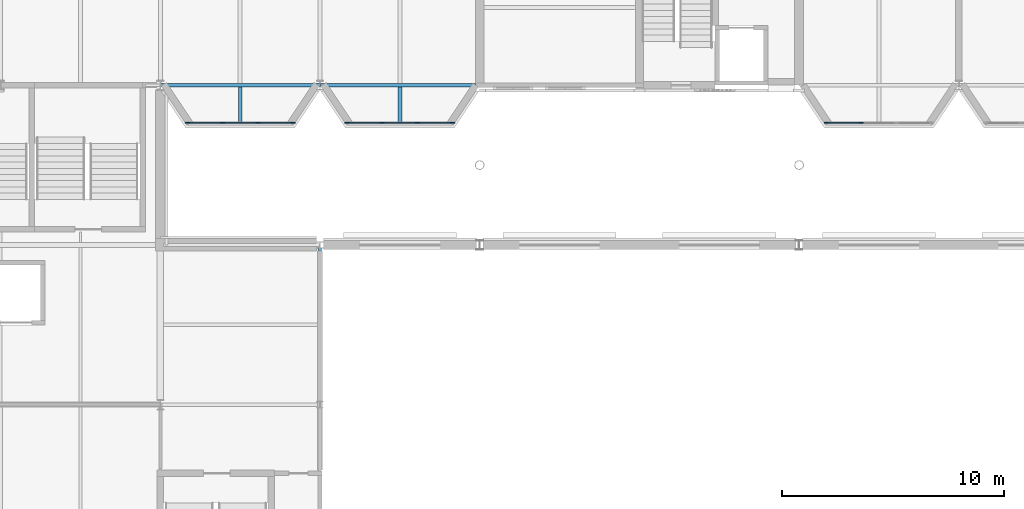
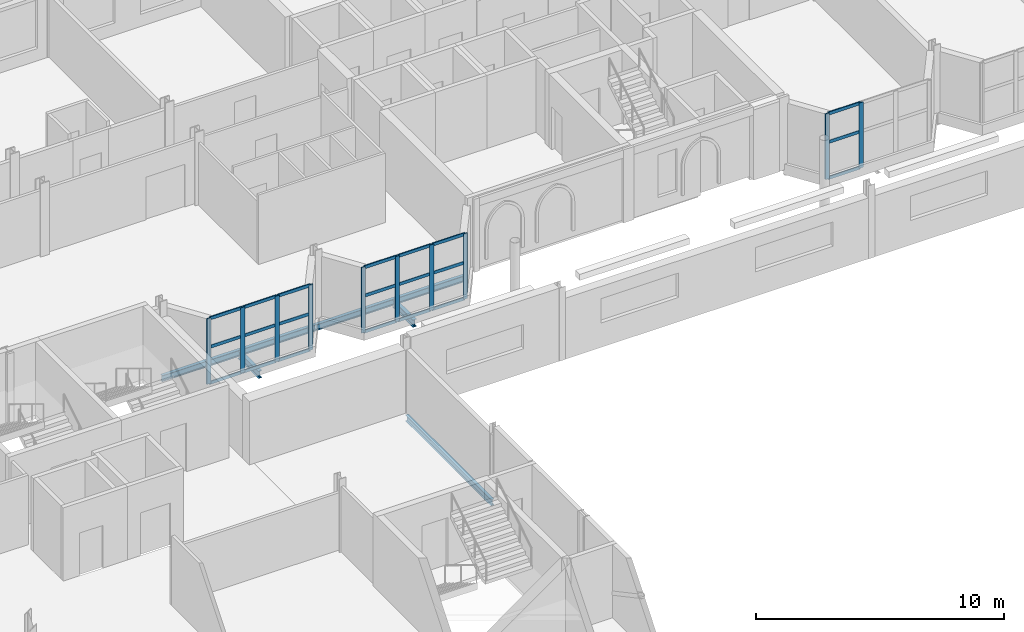
# One storey, part 46 of 124: 31 members, 5 beams, 3 elements without a shape of their own.
"""IFC4 building model written with IfcOpenShell, lengths in metres."""

from ifc_helpers import new_model, si_unit, direction, frame, origin, origin_2d, place, context, subcontext, project, spatial, rectangle, i_section, extrude, material, material_profile, profile_set, type_object, element, aggregate, save


model = new_model("IFC4")

# Units and contexts
model_context = context("Model", 3, precision=1e-05, world=origin(), true_north=direction((0.0, 1.0)))
body_context = subcontext(model_context, "Body", "Model", "MODEL_VIEW")
ifc_project = project(units=[si_unit("LENGTHUNIT", "METRE"), si_unit("AREAUNIT", "SQUARE_METRE"), si_unit("VOLUMEUNIT", "CUBIC_METRE"), si_unit("PLANEANGLEUNIT", "RADIAN"), si_unit("MASSUNIT", "GRAM", prefix="KILO")], contexts=[model_context])

# Site, building, storey
site_placement = place(None, origin())
site = spatial("IfcSite", under=ifc_project, at=site_placement, CompositionType="ELEMENT")
building_placement = place(site_placement, origin())
building = spatial("IfcBuilding", under=site, at=building_placement, Name="Kupolbacken Congress Centre", CompositionType="ELEMENT")
storey_placement = place(building_placement, frame((0.0, 0.0, 10.800048828125)))
storey = spatial("IfcBuildingStorey", under=building, at=storey_placement, Name="L03", CompositionType="ELEMENT", Elevation=10.800048828125)

# Beams
ifc_material_1 = material(Name="Steel S355", Category="steel")
ifc_material_profile_1 = material_profile(ifc_material_1, i_section(OverallWidth=0.14990234375, OverallDepth=0.300048828125, WebThickness=0.007080078125, FlangeThickness=0.0107421875, FilletRadius=0.014892578125, at=origin_2d()), Name="IPE 300")
ifc_profile_set_1 = profile_set([ifc_material_profile_1], Name="Steel S355")
beam_type_1 = type_object("IfcBeamType", Name="B04 beam IPE 300", PredefinedType="BEAM", material=ifc_profile_set_1)
beam_1_placement = place(storey_placement, frame((86.39990234375, 108.14501953125, -0.330078125), z_axis=(0.0, 1.0, 0.0), x_axis=(-1.0, 0.0, 0.0)))
element("IfcBeam", 1, at=beam_1_placement, inside=storey, type_object=beam_type_1, Name="S/floor/LINK/L03/E009", PredefinedType="BEAM", context=body_context, shape_type="SweptSolid", body=[
    extrude(i_section(OverallWidth=0.14990234375, OverallDepth=0.300048828125, WebThickness=0.007080078125, FlangeThickness=0.0107421875, FilletRadius=0.014892578125, at=origin_2d()), origin(), (0.0, 0.0, 1.0), 6.909912109375),
])
beam_2_placement = place(storey_placement, frame((79.21044921875, 122.39990234375, -0.330078125), z_axis=(1.0, 0.0, 0.0), x_axis=(0.0, 1.0, 0.0)))
element("IfcBeam", 2, at=beam_2_placement, inside=storey, type_object=beam_type_1, Name="S/floor/T/L03/R001", PredefinedType="BEAM", context=body_context, shape_type="SweptSolid", body=[
    extrude(i_section(OverallWidth=0.14990234375, OverallDepth=0.300048828125, WebThickness=0.007080078125, FlangeThickness=0.0107421875, FilletRadius=0.014892578125, at=origin_2d()), origin(), (0.0, 0.0, 1.0), 7.178955078125),
])
beam_3_placement = place(storey_placement, frame((86.410400390625, 122.39990234375, -0.330078125), z_axis=(1.0, 0.0, 0.0), x_axis=(0.0, 1.0, 0.0)))
element("IfcBeam", 3, at=beam_3_placement, inside=storey, type_object=beam_type_1, Name="S/floor/T/L03/R002", PredefinedType="BEAM", context=body_context, shape_type="SweptSolid", body=[
    extrude(i_section(OverallWidth=0.14990234375, OverallDepth=0.300048828125, WebThickness=0.007080078125, FlangeThickness=0.0107421875, FilletRadius=0.014892578125, at=origin_2d()), origin(), (0.0, 0.0, 1.0), 6.989501953125),
])
ifc_material_2 = material(Name="Steel S355", Category="steel")
ifc_material_profile_2 = material_profile(ifc_material_2, i_section(OverallWidth=0.169921875, OverallDepth=0.360107421875, WebThickness=0.008056640625, FlangeThickness=0.0126953125, FilletRadius=0.01806640625, at=origin_2d()), Name="IPE 360")
ifc_profile_set_2 = profile_set([ifc_material_profile_2], Name="Steel S355")
beam_type_2 = type_object("IfcBeamType", Name="B06 beam IPE 360", PredefinedType="BEAM", material=ifc_profile_set_2)
for number, where, z_axis, x_axis, name in (
    (4, (82.800048828125, 122.324951171875, -0.360107421875), (0.0, -1.0, 0.0), (1.0, 0.0, 0.0), "S/floor/T/L03/C080"),
    (5, (90.0, 122.324951171875, -0.360107421875), (0.0, -1.0, 0.0), (1.0, 0.0, 0.0), "S/floor/T/L03/C082"),
):
    element("IfcBeam", number, at=place(storey_placement, frame(where, z_axis=z_axis, x_axis=x_axis)), inside=storey, type_object=beam_type_2, Name=name, PredefinedType="BEAM", context=body_context, shape_type="SweptSolid", body=[
        extrude(i_section(OverallWidth=0.169921875, OverallDepth=0.360107421875, WebThickness=0.008056640625, FlangeThickness=0.0126953125, FilletRadius=0.01806640625, at=origin_2d()), origin(), (0.0, 0.0, 1.0), 1.6650390625),
    ])

# Curtain wall, members
ifc_material_3 = material(Name="Aluminium mullion-transom frame with glass", Category="aluminium")
curtain_wall_type = type_object("IfcCurtainWallType", Name="CW1 curtain wall 7200x3600", PredefinedType="NOTDEFINED", material=ifc_material_3)
curtain_wall_1_placement = place(storey_placement, origin())
curtain_wall_1 = element("IfcCurtainWall", 6, at=curtain_wall_1_placement, inside=storey, type_object=curtain_wall_type, Name="E/T/cumba/L03/S/003/cw", PredefinedType="NOTDEFINED")
ifc_material_4 = material(Name="Aluminium alloy", Category="aluminium")
ifc_material_profile_3 = material_profile(ifc_material_4, rectangle(XDim=0.050048828125, YDim=0.199951171875, at=origin_2d()), Name="50 x 200")
ifc_profile_set_3 = profile_set([ifc_material_profile_3], Name="Aluminium alloy")
member_type_1 = type_object("IfcMemberType", Name="MU2 mullion 50x200", PredefinedType="MULLION", material=ifc_profile_set_3)
member_1_placement = place(storey_placement, frame((80.425048828125, 120.699951171875, 0.0), z_axis=(0.0, 0.0, 1.0), x_axis=(0.0, 1.0, 0.0)))
member_1 = element("IfcMember", 7, at=member_1_placement, type_object=member_type_1, Name="CW1 mullion 1", PredefinedType="MULLION", context=body_context, shape_type="SweptSolid", body=[
    extrude(rectangle(XDim=0.050048828125, YDim=0.199951171875, at=origin_2d()), origin(), (0.0, 0.0, 1.0), 3.219970703125),
])
member_2_placement = place(storey_placement, frame((82.0, 120.699951171875, 0.0), z_axis=(0.0, 0.0, 1.0), x_axis=(0.0, 1.0, 0.0)))
member_2 = element("IfcMember", 8, at=member_2_placement, type_object=member_type_1, Name="CW1 mullion 2", PredefinedType="MULLION", context=body_context, shape_type="SweptSolid", body=[
    extrude(rectangle(XDim=0.050048828125, YDim=0.199951171875, at=origin_2d()), origin(), (0.0, 0.0, 1.0), 3.219970703125),
])
member_3_placement = place(storey_placement, frame((83.60009765625, 120.699951171875, 0.0), z_axis=(0.0, 0.0, 1.0), x_axis=(0.0, 1.0, 0.0)))
member_3 = element("IfcMember", 9, at=member_3_placement, type_object=member_type_1, Name="CW1 mullion 3", PredefinedType="MULLION", context=body_context, shape_type="SweptSolid", body=[
    extrude(rectangle(XDim=0.050048828125, YDim=0.199951171875, at=origin_2d()), origin(), (0.0, 0.0, 1.0), 3.219970703125),
])
member_4_placement = place(storey_placement, frame((85.175048828125, 120.699951171875, 0.0), z_axis=(0.0, 0.0, 1.0), x_axis=(0.0, 1.0, 0.0)))
member_4 = element("IfcMember", 10, at=member_4_placement, type_object=member_type_1, Name="CW1 mullion 4", PredefinedType="MULLION", context=body_context, shape_type="SweptSolid", body=[
    extrude(rectangle(XDim=0.050048828125, YDim=0.199951171875, at=origin_2d()), origin(), (0.0, 0.0, 1.0), 3.219970703125),
])

curtain_wall_2_placement = place(storey_placement, origin())
curtain_wall_2 = element("IfcCurtainWall", 11, at=curtain_wall_2_placement, inside=storey, type_object=curtain_wall_type, Name="E/T/cumba/L03/S/007/cw", PredefinedType="NOTDEFINED")
member_5_placement = place(storey_placement, frame((87.625, 120.699951171875, 0.0), z_axis=(0.0, 0.0, 1.0), x_axis=(0.0, 1.0, 0.0)))
member_5 = element("IfcMember", 12, at=member_5_placement, type_object=member_type_1, Name="CW1 mullion 1", PredefinedType="MULLION", context=body_context, shape_type="SweptSolid", body=[
    extrude(rectangle(XDim=0.050048828125, YDim=0.199951171875, at=origin_2d()), origin(), (0.0, 0.0, 1.0), 3.219970703125),
])
member_6_placement = place(storey_placement, frame((89.199951171875, 120.699951171875, 0.0), z_axis=(0.0, 0.0, 1.0), x_axis=(0.0, 1.0, 0.0)))
member_6 = element("IfcMember", 13, at=member_6_placement, type_object=member_type_1, Name="CW1 mullion 2", PredefinedType="MULLION", context=body_context, shape_type="SweptSolid", body=[
    extrude(rectangle(XDim=0.050048828125, YDim=0.199951171875, at=origin_2d()), origin(), (0.0, 0.0, 1.0), 3.219970703125),
])
member_7_placement = place(storey_placement, frame((90.800048828125, 120.699951171875, 0.0), z_axis=(0.0, 0.0, 1.0), x_axis=(0.0, 1.0, 0.0)))
member_7 = element("IfcMember", 14, at=member_7_placement, type_object=member_type_1, Name="CW1 mullion 3", PredefinedType="MULLION", context=body_context, shape_type="SweptSolid", body=[
    extrude(rectangle(XDim=0.050048828125, YDim=0.199951171875, at=origin_2d()), origin(), (0.0, 0.0, 1.0), 3.219970703125),
])
member_8_placement = place(storey_placement, frame((92.375, 120.699951171875, 0.0), z_axis=(0.0, 0.0, 1.0), x_axis=(0.0, 1.0, 0.0)))
member_8 = element("IfcMember", 15, at=member_8_placement, type_object=member_type_1, Name="CW1 mullion 4", PredefinedType="MULLION", context=body_context, shape_type="SweptSolid", body=[
    extrude(rectangle(XDim=0.050048828125, YDim=0.199951171875, at=origin_2d()), origin(), (0.0, 0.0, 1.0), 3.219970703125),
])

curtain_wall_3_placement = place(storey_placement, origin())
curtain_wall_3 = element("IfcCurtainWall", 16, at=curtain_wall_3_placement, inside=storey, type_object=curtain_wall_type, Name="E/T/cumba/L03/S/011/cw", PredefinedType="NOTDEFINED")
member_9_placement = place(storey_placement, frame((109.22509765625, 120.699951171875, 0.0), z_axis=(0.0, 0.0, 1.0), x_axis=(0.0, 1.0, 0.0)))
member_9 = element("IfcMember", 17, at=member_9_placement, type_object=member_type_1, Name="CW1 mullion 1", PredefinedType="MULLION", context=body_context, shape_type="SweptSolid", body=[
    extrude(rectangle(XDim=0.050048828125, YDim=0.199951171875, at=origin_2d()), origin(), (0.0, 0.0, 1.0), 3.219970703125),
])
member_10_placement = place(storey_placement, frame((110.800048828125, 120.699951171875, 0.0), z_axis=(0.0, 0.0, 1.0), x_axis=(0.0, 1.0, 0.0)))
member_10 = element("IfcMember", 18, at=member_10_placement, type_object=member_type_1, Name="CW1 mullion 2", PredefinedType="MULLION", context=body_context, shape_type="SweptSolid", body=[
    extrude(rectangle(XDim=0.050048828125, YDim=0.199951171875, at=origin_2d()), origin(), (0.0, 0.0, 1.0), 3.219970703125),
])

# Member
ifc_material_5 = material(Name="Aluminium alloy", Category="aluminium")
ifc_material_profile_4 = material_profile(ifc_material_5, rectangle(XDim=0.050048828125, YDim=0.14990234375, at=origin_2d()), Name="50 x 150")
ifc_profile_set_4 = profile_set([ifc_material_profile_4], Name="Aluminium alloy")
member_type_2 = type_object("IfcMemberType", Name="TR2 transom 50x150", PredefinedType="MULLION", material=ifc_profile_set_4)
member_11_placement = place(storey_placement, frame((80.449951171875, 120.699951171875, 0.02490234375), z_axis=(1.0, 0.0, 0.0), x_axis=(0.0, 1.0, 0.0)))
member_11 = element("IfcMember", 19, at=member_11_placement, type_object=member_type_2, Name="CW1 transom 1.1", PredefinedType="MULLION", context=body_context, shape_type="SweptSolid", body=[
    extrude(rectangle(XDim=0.050048828125, YDim=0.14990234375, at=origin_2d()), origin(), (0.0, 0.0, 1.0), 1.525146484375),
])

member_12_placement = place(storey_placement, frame((80.449951171875, 120.699951171875, 1.800048828125), z_axis=(1.0, 0.0, 0.0), x_axis=(0.0, 1.0, 0.0)))
member_12 = element("IfcMember", 20, at=member_12_placement, type_object=member_type_2, Name="CW1 transom 1.2", PredefinedType="MULLION", context=body_context, shape_type="SweptSolid", body=[
    extrude(rectangle(XDim=0.050048828125, YDim=0.14990234375, at=origin_2d()), origin(), (0.0, 0.0, 1.0), 1.525146484375),
])

member_13_placement = place(storey_placement, frame((80.449951171875, 120.699951171875, 3.195068359375), z_axis=(1.0, 0.0, 0.0), x_axis=(0.0, 1.0, 0.0)))
member_13 = element("IfcMember", 21, at=member_13_placement, type_object=member_type_2, Name="CW1 transom 1.3", PredefinedType="MULLION", context=body_context, shape_type="SweptSolid", body=[
    extrude(rectangle(XDim=0.050048828125, YDim=0.14990234375, at=origin_2d()), origin(), (0.0, 0.0, 1.0), 1.525146484375),
])

member_14_placement = place(storey_placement, frame((82.02490234375, 120.699951171875, 0.02490234375), z_axis=(1.0, 0.0, 0.0), x_axis=(0.0, 1.0, 0.0)))
member_14 = element("IfcMember", 22, at=member_14_placement, type_object=member_type_2, Name="CW1 transom 2.1", PredefinedType="MULLION", context=body_context, shape_type="SweptSolid", body=[
    extrude(rectangle(XDim=0.050048828125, YDim=0.14990234375, at=origin_2d()), origin(), (0.0, 0.0, 1.0), 1.550048828125),
])

member_15_placement = place(storey_placement, frame((82.02490234375, 120.699951171875, 1.800048828125), z_axis=(1.0, 0.0, 0.0), x_axis=(0.0, 1.0, 0.0)))
member_15 = element("IfcMember", 23, at=member_15_placement, type_object=member_type_2, Name="CW1 transom 2.2", PredefinedType="MULLION", context=body_context, shape_type="SweptSolid", body=[
    extrude(rectangle(XDim=0.050048828125, YDim=0.14990234375, at=origin_2d()), origin(), (0.0, 0.0, 1.0), 1.550048828125),
])

member_16_placement = place(storey_placement, frame((82.02490234375, 120.699951171875, 3.195068359375), z_axis=(1.0, 0.0, 0.0), x_axis=(0.0, 1.0, 0.0)))
member_16 = element("IfcMember", 24, at=member_16_placement, type_object=member_type_2, Name="CW1 transom 2.3", PredefinedType="MULLION", context=body_context, shape_type="SweptSolid", body=[
    extrude(rectangle(XDim=0.050048828125, YDim=0.14990234375, at=origin_2d()), origin(), (0.0, 0.0, 1.0), 1.550048828125),
])

member_17_placement = place(storey_placement, frame((83.625, 120.699951171875, 0.02490234375), z_axis=(1.0, 0.0, 0.0), x_axis=(0.0, 1.0, 0.0)))
member_17 = element("IfcMember", 25, at=member_17_placement, type_object=member_type_2, Name="CW1 transom 3.1", PredefinedType="MULLION", context=body_context, shape_type="SweptSolid", body=[
    extrude(rectangle(XDim=0.050048828125, YDim=0.14990234375, at=origin_2d()), origin(), (0.0, 0.0, 1.0), 1.52490234375),
])

member_18_placement = place(storey_placement, frame((83.625, 120.699951171875, 1.800048828125), z_axis=(1.0, 0.0, 0.0), x_axis=(0.0, 1.0, 0.0)))
member_18 = element("IfcMember", 26, at=member_18_placement, type_object=member_type_2, Name="CW1 transom 3.2", PredefinedType="MULLION", context=body_context, shape_type="SweptSolid", body=[
    extrude(rectangle(XDim=0.050048828125, YDim=0.14990234375, at=origin_2d()), origin(), (0.0, 0.0, 1.0), 1.52490234375),
])

member_19_placement = place(storey_placement, frame((83.625, 120.699951171875, 3.195068359375), z_axis=(1.0, 0.0, 0.0), x_axis=(0.0, 1.0, 0.0)))
member_19 = element("IfcMember", 27, at=member_19_placement, type_object=member_type_2, Name="CW1 transom 3.3", PredefinedType="MULLION", context=body_context, shape_type="SweptSolid", body=[
    extrude(rectangle(XDim=0.050048828125, YDim=0.14990234375, at=origin_2d()), origin(), (0.0, 0.0, 1.0), 1.52490234375),
])

aggregate(curtain_wall_1, [member_1, member_2, member_3, member_4, member_11, member_12, member_13, member_14, member_15, member_16, member_17, member_18, member_19])

member_20_placement = place(storey_placement, frame((87.64990234375, 120.699951171875, 0.02490234375), z_axis=(1.0, 0.0, 0.0), x_axis=(0.0, 1.0, 0.0)))
member_20 = element("IfcMember", 28, at=member_20_placement, type_object=member_type_2, Name="CW1 transom 1.1", PredefinedType="MULLION", context=body_context, shape_type="SweptSolid", body=[
    extrude(rectangle(XDim=0.050048828125, YDim=0.14990234375, at=origin_2d()), origin(), (0.0, 0.0, 1.0), 1.525146484375),
])

member_21_placement = place(storey_placement, frame((87.64990234375, 120.699951171875, 1.800048828125), z_axis=(1.0, 0.0, 0.0), x_axis=(0.0, 1.0, 0.0)))
member_21 = element("IfcMember", 29, at=member_21_placement, type_object=member_type_2, Name="CW1 transom 1.2", PredefinedType="MULLION", context=body_context, shape_type="SweptSolid", body=[
    extrude(rectangle(XDim=0.050048828125, YDim=0.14990234375, at=origin_2d()), origin(), (0.0, 0.0, 1.0), 1.525146484375),
])

member_22_placement = place(storey_placement, frame((87.64990234375, 120.699951171875, 3.195068359375), z_axis=(1.0, 0.0, 0.0), x_axis=(0.0, 1.0, 0.0)))
member_22 = element("IfcMember", 30, at=member_22_placement, type_object=member_type_2, Name="CW1 transom 1.3", PredefinedType="MULLION", context=body_context, shape_type="SweptSolid", body=[
    extrude(rectangle(XDim=0.050048828125, YDim=0.14990234375, at=origin_2d()), origin(), (0.0, 0.0, 1.0), 1.525146484375),
])

member_23_placement = place(storey_placement, frame((89.22509765625, 120.699951171875, 0.02490234375), z_axis=(1.0, 0.0, 0.0), x_axis=(0.0, 1.0, 0.0)))
member_23 = element("IfcMember", 31, at=member_23_placement, type_object=member_type_2, Name="CW1 transom 2.1", PredefinedType="MULLION", context=body_context, shape_type="SweptSolid", body=[
    extrude(rectangle(XDim=0.050048828125, YDim=0.14990234375, at=origin_2d()), origin(), (0.0, 0.0, 1.0), 1.5498046875),
])

member_24_placement = place(storey_placement, frame((89.22509765625, 120.699951171875, 1.800048828125), z_axis=(1.0, 0.0, 0.0), x_axis=(0.0, 1.0, 0.0)))
member_24 = element("IfcMember", 32, at=member_24_placement, type_object=member_type_2, Name="CW1 transom 2.2", PredefinedType="MULLION", context=body_context, shape_type="SweptSolid", body=[
    extrude(rectangle(XDim=0.050048828125, YDim=0.14990234375, at=origin_2d()), origin(), (0.0, 0.0, 1.0), 1.5498046875),
])

member_25_placement = place(storey_placement, frame((89.22509765625, 120.699951171875, 3.195068359375), z_axis=(1.0, 0.0, 0.0), x_axis=(0.0, 1.0, 0.0)))
member_25 = element("IfcMember", 33, at=member_25_placement, type_object=member_type_2, Name="CW1 transom 2.3", PredefinedType="MULLION", context=body_context, shape_type="SweptSolid", body=[
    extrude(rectangle(XDim=0.050048828125, YDim=0.14990234375, at=origin_2d()), origin(), (0.0, 0.0, 1.0), 1.5498046875),
])

member_26_placement = place(storey_placement, frame((90.824951171875, 120.699951171875, 0.02490234375), z_axis=(1.0, 0.0, 0.0), x_axis=(0.0, 1.0, 0.0)))
member_26 = element("IfcMember", 34, at=member_26_placement, type_object=member_type_2, Name="CW1 transom 3.1", PredefinedType="MULLION", context=body_context, shape_type="SweptSolid", body=[
    extrude(rectangle(XDim=0.050048828125, YDim=0.14990234375, at=origin_2d()), origin(), (0.0, 0.0, 1.0), 1.525146484375),
])

member_27_placement = place(storey_placement, frame((90.824951171875, 120.699951171875, 1.800048828125), z_axis=(1.0, 0.0, 0.0), x_axis=(0.0, 1.0, 0.0)))
member_27 = element("IfcMember", 35, at=member_27_placement, type_object=member_type_2, Name="CW1 transom 3.2", PredefinedType="MULLION", context=body_context, shape_type="SweptSolid", body=[
    extrude(rectangle(XDim=0.050048828125, YDim=0.14990234375, at=origin_2d()), origin(), (0.0, 0.0, 1.0), 1.525146484375),
])

member_28_placement = place(storey_placement, frame((90.824951171875, 120.699951171875, 3.195068359375), z_axis=(1.0, 0.0, 0.0), x_axis=(0.0, 1.0, 0.0)))
member_28 = element("IfcMember", 36, at=member_28_placement, type_object=member_type_2, Name="CW1 transom 3.3", PredefinedType="MULLION", context=body_context, shape_type="SweptSolid", body=[
    extrude(rectangle(XDim=0.050048828125, YDim=0.14990234375, at=origin_2d()), origin(), (0.0, 0.0, 1.0), 1.525146484375),
])

aggregate(curtain_wall_2, [member_5, member_6, member_7, member_8, member_20, member_21, member_22, member_23, member_24, member_25, member_26, member_27, member_28])

member_29_placement = place(storey_placement, frame((109.25, 120.699951171875, 0.02490234375), z_axis=(1.0, 0.0, 0.0), x_axis=(0.0, 1.0, 0.0)))
member_29 = element("IfcMember", 37, at=member_29_placement, type_object=member_type_2, Name="CW1 transom 1.1", PredefinedType="MULLION", context=body_context, shape_type="SweptSolid", body=[
    extrude(rectangle(XDim=0.050048828125, YDim=0.14990234375, at=origin_2d()), origin(), (0.0, 0.0, 1.0), 1.52490234375),
])

member_30_placement = place(storey_placement, frame((109.25, 120.699951171875, 1.800048828125), z_axis=(1.0, 0.0, 0.0), x_axis=(0.0, 1.0, 0.0)))
member_30 = element("IfcMember", 38, at=member_30_placement, type_object=member_type_2, Name="CW1 transom 1.2", PredefinedType="MULLION", context=body_context, shape_type="SweptSolid", body=[
    extrude(rectangle(XDim=0.050048828125, YDim=0.14990234375, at=origin_2d()), origin(), (0.0, 0.0, 1.0), 1.52490234375),
])

member_31_placement = place(storey_placement, frame((109.25, 120.699951171875, 3.195068359375), z_axis=(1.0, 0.0, 0.0), x_axis=(0.0, 1.0, 0.0)))
member_31 = element("IfcMember", 39, at=member_31_placement, type_object=member_type_2, Name="CW1 transom 1.3", PredefinedType="MULLION", context=body_context, shape_type="SweptSolid", body=[
    extrude(rectangle(XDim=0.050048828125, YDim=0.14990234375, at=origin_2d()), origin(), (0.0, 0.0, 1.0), 1.52490234375),
])

aggregate(curtain_wall_3, [member_9, member_10, member_29, member_30, member_31])

save(model, "model.ifc")
